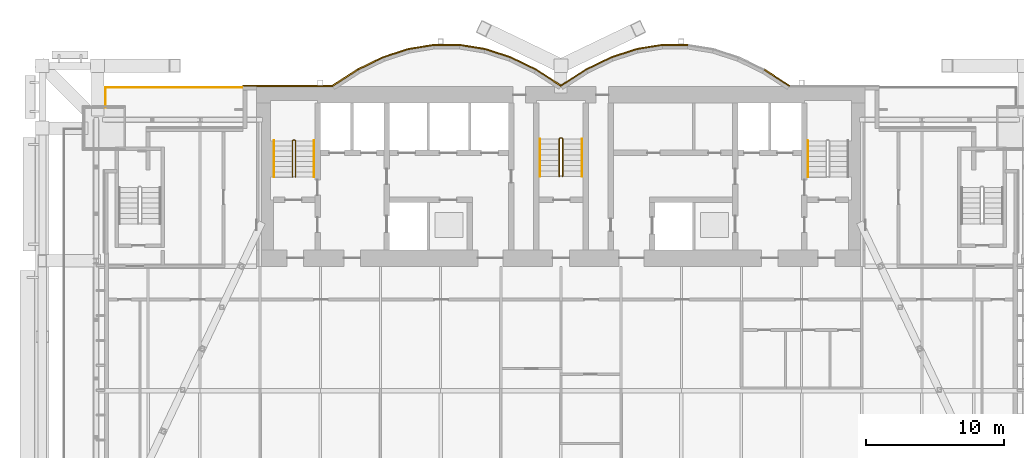
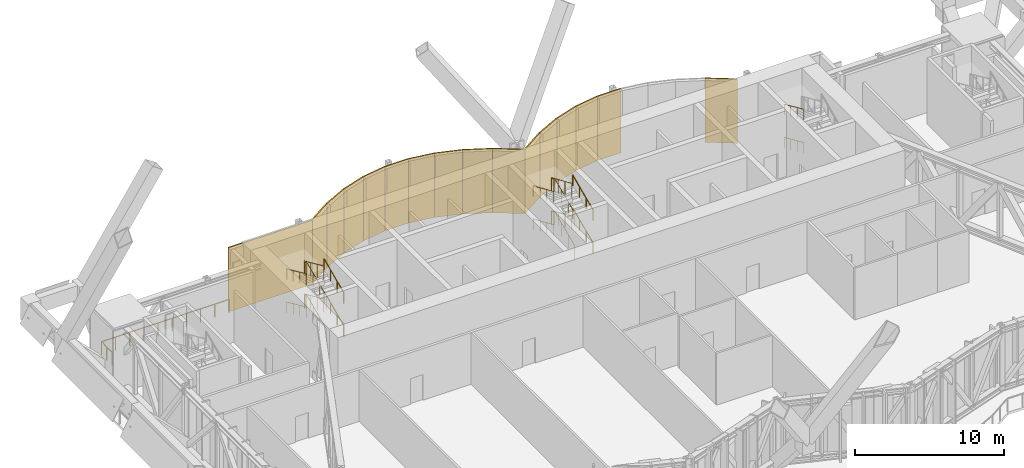
# One storey, part 30 of 32: 16 coverings, 15 railings.
"""IFC4 building model written with IfcOpenShell, lengths in metres."""

from ifc_helpers import new_model, si_unit, direction, frame, origin, origin_2d, place, context, subcontext, project, spatial, rectangle, circle, extrude, material, layer, layer_set, type_object, element, save


model = new_model("IFC4")

# Units and contexts
model_context = context("Model", 3, precision=1e-05, world=origin(), true_north=direction((0.0, 1.0)))
body_context = subcontext(model_context, "Body", "Model", "MODEL_VIEW")
ifc_project = project(units=[si_unit("LENGTHUNIT", "METRE"), si_unit("AREAUNIT", "SQUARE_METRE"), si_unit("VOLUMEUNIT", "CUBIC_METRE"), si_unit("PLANEANGLEUNIT", "RADIAN"), si_unit("MASSUNIT", "GRAM", prefix="KILO")], contexts=[model_context])

# Site, building, storey
site_placement = place(None, origin())
site = spatial("IfcSite", under=ifc_project, at=site_placement, CompositionType="ELEMENT")
building_placement = place(site_placement, origin())
building = spatial("IfcBuilding", under=site, at=building_placement, Name="Bicima Exchange Tower", CompositionType="ELEMENT")
storey_placement = place(building_placement, frame((0.0, 0.0, 135.0)))
storey = spatial("IfcBuildingStorey", under=building, at=storey_placement, Name="L29", CompositionType="ELEMENT", Elevation=135.0)

# Coverings
ifc_material_1 = material(Name="Bronze metal cladding")
ifc_layer_1 = layer(ifc_material_1, 0.004)
ifc_material_2 = material(Name="Ventilated cavity")
ifc_layer_2 = layer(ifc_material_2, 0.06)
ifc_material_3 = material(Name="Galvanised steel rail and mineral wool", Category="steel")
ifc_layer_3 = layer(ifc_material_3, 0.036)
ifc_layer_set = layer_set([ifc_layer_1, ifc_layer_2, ifc_layer_3], Name="Ventilated cavity")
covering_type = type_object("IfcCoveringType", Name="Bronze metal cladding panel 100", PredefinedType="CLADDING", material=ifc_layer_set)
covering_1_placement = place(storey_placement, frame((15.610595703125, 0.634521484375, 0.0), z_axis=(0.0, 0.0, 1.0), x_axis=(-0.839790466384, 0.542910648791, 0.0)))
element("IfcCovering", 1, at=covering_1_placement, inside=storey, type_object=covering_type, Name="Bronze cladding L29 8.1", PredefinedType="CLADDING", context=body_context, shape_type="SweptSolid", body=[
    extrude(rectangle(XDim=2.18310546875, YDim=0.10009765625, at=origin_2d()), origin(), (0.0, 0.0, 1.0), 5.25),
])
covering_2_placement = place(storey_placement, frame((8.25, 3.012939453125, 0.0), z_axis=(0.0, 0.0, 1.0), x_axis=(-1.0, 0.0, 0.0)))
element("IfcCovering", 2, at=covering_2_placement, inside=storey, type_object=covering_type, Name="Bronze cladding L29 12.1", PredefinedType="CLADDING", context=body_context, shape_type="SweptSolid", body=[
    extrude(rectangle(XDim=1.83349609375, YDim=0.10009765625, at=origin_2d()), origin(), (0.0, 0.0, 1.0), 5.25),
])
covering_3_placement = place(storey_placement, frame((6.40869140625, 2.8642578125, 0.0), z_axis=(0.0, 0.0, 1.0), x_axis=(-0.987189786347, -0.159550386184, 0.0)))
element("IfcCovering", 3, at=covering_3_placement, inside=storey, type_object=covering_type, Name="Bronze cladding L29 13.1", PredefinedType="CLADDING", context=body_context, shape_type="SweptSolid", body=[
    extrude(rectangle(XDim=1.857177734375, YDim=0.10009765625, at=origin_2d()), origin(), (0.0, 0.0, 1.0), 5.25),
])
covering_4_placement = place(storey_placement, frame((4.568115234375, 2.41796875, 0.0), z_axis=(0.0, 0.0, 1.0), x_axis=(-0.951524642381, -0.307572519808, 0.0)))
element("IfcCovering", 4, at=covering_4_placement, inside=storey, type_object=covering_type, Name="Bronze cladding L29 14.1", PredefinedType="CLADDING", context=body_context, shape_type="SweptSolid", body=[
    extrude(rectangle(XDim=1.9267578125, YDim=0.10009765625, at=origin_2d()), origin(), (0.0, 0.0, 1.0), 5.25),
])
covering_5_placement = place(storey_placement, frame((2.728271484375, 1.674560546875, 0.0), z_axis=(0.0, 0.0, 1.0), x_axis=(-0.899818346812, -0.436264762204, 0.0)))
element("IfcCovering", 5, at=covering_5_placement, inside=storey, type_object=covering_type, Name="Bronze cladding L29 15.1", PredefinedType="CLADDING", context=body_context, shape_type="SweptSolid", body=[
    extrude(rectangle(XDim=2.03759765625, YDim=0.10009765625, at=origin_2d()), origin(), (0.0, 0.0, 1.0), 5.25),
])
for number, where, z_axis, x_axis, name in (
    (6, (0.889404296875, 0.634521484375, 0.0), (0.0, 0.0, 1.0), (-0.839790466384, -0.542910648791, 0.0), "Bronze cladding L29 16.1"),
    (7, (-0.889404296875, 0.634521484375, 0.0), (0.0, 0.0, 1.0), (-0.839790466384, 0.542910648791, 0.0), "Bronze cladding L29 17.1"),
):
    element("IfcCovering", number, at=place(storey_placement, frame(where, z_axis=z_axis, x_axis=x_axis)), inside=storey, type_object=covering_type, Name=name, PredefinedType="CLADDING", context=body_context, shape_type="SweptSolid", body=[
        extrude(rectangle(XDim=2.18310546875, YDim=0.10009765625, at=origin_2d()), origin(), (0.0, 0.0, 1.0), 5.25),
    ])
covering_6_placement = place(storey_placement, frame((-2.728271484375, 1.674560546875, 0.0), z_axis=(0.0, 0.0, 1.0), x_axis=(-0.899818346812, 0.436264762204, 0.0)))
element("IfcCovering", 8, at=covering_6_placement, inside=storey, type_object=covering_type, Name="Bronze cladding L29 18.1", PredefinedType="CLADDING", context=body_context, shape_type="SweptSolid", body=[
    extrude(rectangle(XDim=2.03759765625, YDim=0.10009765625, at=origin_2d()), origin(), (0.0, 0.0, 1.0), 5.25),
])
covering_7_placement = place(storey_placement, frame((-4.568115234375, 2.41796875, 0.0), z_axis=(0.0, 0.0, 1.0), x_axis=(-0.951524642381, 0.307572519808, 0.0)))
element("IfcCovering", 9, at=covering_7_placement, inside=storey, type_object=covering_type, Name="Bronze cladding L29 19.1", PredefinedType="CLADDING", context=body_context, shape_type="SweptSolid", body=[
    extrude(rectangle(XDim=1.9267578125, YDim=0.10009765625, at=origin_2d()), origin(), (0.0, 0.0, 1.0), 5.25),
])
covering_8_placement = place(storey_placement, frame((-6.40869140625, 2.8642578125, 0.0), z_axis=(0.0, 0.0, 1.0), x_axis=(-0.987189786347, 0.159550386184, 0.0)))
element("IfcCovering", 10, at=covering_8_placement, inside=storey, type_object=covering_type, Name="Bronze cladding L29 20.1", PredefinedType="CLADDING", context=body_context, shape_type="SweptSolid", body=[
    extrude(rectangle(XDim=1.857177734375, YDim=0.10009765625, at=origin_2d()), origin(), (0.0, 0.0, 1.0), 5.25),
])
covering_9_placement = place(storey_placement, frame((-8.25, 3.012939453125, 0.0), z_axis=(0.0, 0.0, 1.0), x_axis=(-1.0, 0.0, 0.0)))
element("IfcCovering", 11, at=covering_9_placement, inside=storey, type_object=covering_type, Name="Bronze cladding L29 21.1", PredefinedType="CLADDING", context=body_context, shape_type="SweptSolid", body=[
    extrude(rectangle(XDim=1.83349609375, YDim=0.10009765625, at=origin_2d()), origin(), (0.0, 0.0, 1.0), 5.25),
])
covering_10_placement = place(storey_placement, frame((-10.09130859375, 2.8642578125, 0.0), z_axis=(0.0, 0.0, 1.0), x_axis=(-0.987189786347, -0.159550386184, 0.0)))
element("IfcCovering", 12, at=covering_10_placement, inside=storey, type_object=covering_type, Name="Bronze cladding L29 22.1", PredefinedType="CLADDING", context=body_context, shape_type="SweptSolid", body=[
    extrude(rectangle(XDim=1.857177734375, YDim=0.10009765625, at=origin_2d()), origin(), (0.0, 0.0, 1.0), 5.25),
])
covering_11_placement = place(storey_placement, frame((-11.931884765625, 2.41796875, 0.0), z_axis=(0.0, 0.0, 1.0), x_axis=(-0.951524642381, -0.307572519808, 0.0)))
element("IfcCovering", 13, at=covering_11_placement, inside=storey, type_object=covering_type, Name="Bronze cladding L29 23.1", PredefinedType="CLADDING", context=body_context, shape_type="SweptSolid", body=[
    extrude(rectangle(XDim=1.9267578125, YDim=0.10009765625, at=origin_2d()), origin(), (0.0, 0.0, 1.0), 5.25),
])
covering_12_placement = place(storey_placement, frame((-13.771728515625, 1.674560546875, 0.0), z_axis=(0.0, 0.0, 1.0), x_axis=(-0.899818346812, -0.436264762204, 0.0)))
element("IfcCovering", 14, at=covering_12_placement, inside=storey, type_object=covering_type, Name="Bronze cladding L29 24.1", PredefinedType="CLADDING", context=body_context, shape_type="SweptSolid", body=[
    extrude(rectangle(XDim=2.03759765625, YDim=0.10009765625, at=origin_2d()), origin(), (0.0, 0.0, 1.0), 5.25),
])
covering_13_placement = place(storey_placement, frame((-15.610595703125, 0.634521484375, 0.0), z_axis=(0.0, 0.0, 1.0), x_axis=(-0.839790466384, -0.542910648791, 0.0)))
element("IfcCovering", 15, at=covering_13_placement, inside=storey, type_object=covering_type, Name="Bronze cladding L29 25.1", PredefinedType="CLADDING", context=body_context, shape_type="SweptSolid", body=[
    extrude(rectangle(XDim=2.18310546875, YDim=0.10009765625, at=origin_2d()), origin(), (0.0, 0.0, 1.0), 5.25),
])
covering_14_placement = place(storey_placement, frame((-19.75, 0.050048828125, 0.0), z_axis=(0.0, 0.0, 1.0), x_axis=(-1.0, 0.0, 0.0)))
element("IfcCovering", 16, at=covering_14_placement, inside=storey, type_object=covering_type, Name="Bronze cladding L29 26.1", PredefinedType="CLADDING", context=body_context, shape_type="SweptSolid", body=[
    extrude(rectangle(XDim=6.5, YDim=0.10009765625, at=origin_2d()), origin(), (0.0, 0.0, 1.0), 5.25),
])

# Railings
ifc_material_4 = material(Name="Stainless steel", Category="steel")
railing_type_1 = type_object("IfcRailingType", Name="Stair guard 1100", PredefinedType="GUARDRAIL", material=ifc_material_4)
railing_1_placement = place(storey_placement, frame((-19.199951171875, -6.550048828125, 0.168701171875)))
element("IfcRailing", 17, at=railing_1_placement, inside=storey, type_object=railing_type_1, Name="L29 ST-W stair guard 1", PredefinedType="GUARDRAIL", context=body_context, shape_type="SweptSolid", body=[
    extrude(circle(Radius=0.02392578125, at=origin_2d()), frame((0.0, 0.0, 1.076171875), z_axis=(0.0, 0.912201722539, 0.409741403079), x_axis=(-1.0, 0.0, 0.0)), (0.0, 0.0, 1.0), 2.88330078125),
    extrude(circle(Radius=0.02392578125, at=origin_2d()), frame((0.0, 2.630126953125, 2.25732421875), z_axis=(-0.708833529934, 0.705375805398, 0.0), x_axis=(-0.705375805398, -0.708833529934, 0.0)), (0.0, 0.0, 1.0), 0.070556640625),
    extrude(circle(Radius=0.02392578125, at=origin_2d()), frame((-0.050048828125, 2.679931640625, 2.25732421875), z_axis=(-1.0, 0.0, 0.0), x_axis=(0.0, -1.0, 0.0)), (0.0, 0.0, 1.0), 0.10009765625),
    extrude(circle(Radius=0.02392578125, at=origin_2d()), frame((-0.150146484375, 2.679931640625, 2.25732421875), z_axis=(-0.272433089069, -0.272433089069, 0.922800316407), x_axis=(0.707106781187, -0.707106781187, 0.0)), (0.0, 0.0, 1.0), 0.182861328125),
    extrude(circle(Radius=0.02392578125, at=origin_2d()), frame((-0.199951171875, 2.630126953125, 2.42626953125), z_axis=(0.0, -0.912233369549, 0.409670940488), x_axis=(1.0, 0.0, 0.0)), (0.0, 0.0, 1.0), 2.883056640625),
    extrude(circle(Radius=0.02099609375, at=origin_2d()), origin(), (0.0, 0.0, 1.0), 1.052001953125),
    extrude(circle(Radius=0.02099609375, at=origin_2d()), frame((0.0, 0.876708984375, 0.393798828125)), (0.0, 0.0, 1.0), 1.052001953125),
    extrude(circle(Radius=0.02099609375, at=origin_2d()), frame((0.0, 1.75341796875, 0.78759765625)), (0.0, 0.0, 1.0), 1.052001953125),
    extrude(circle(Radius=0.02099609375, at=origin_2d()), frame((0.0, 2.630126953125, 1.181396484375)), (0.0, 0.0, 1.0), 1.052001953125),
    extrude(circle(Radius=0.02099609375, at=origin_2d()), frame((-0.050048828125, 2.679931640625, 1.181396484375)), (0.0, 0.0, 1.0), 1.052001953125),
    extrude(circle(Radius=0.02099609375, at=origin_2d()), frame((-0.150146484375, 2.679931640625, 1.181396484375)), (0.0, 0.0, 1.0), 1.052001953125),
    extrude(circle(Radius=0.02099609375, at=origin_2d()), frame((-0.199951171875, 2.630126953125, 1.35009765625)), (0.0, 0.0, 1.0), 1.052001953125),
    extrude(circle(Radius=0.02099609375, at=origin_2d()), frame((-0.199951171875, 1.75341796875, 1.743896484375)), (0.0, 0.0, 1.0), 1.052001953125),
    extrude(circle(Radius=0.02099609375, at=origin_2d()), frame((-0.199951171875, 0.876708984375, 2.137451171875)), (0.0, 0.0, 1.0), 1.052001953125),
    extrude(circle(Radius=0.02099609375, at=origin_2d()), frame((-0.199951171875, 0.0, 2.53125)), (0.0, 0.0, 1.0), 1.052001953125),
])
railing_2_placement = place(storey_placement, frame((-19.199951171875, -6.550048828125, 2.86865234375)))
element("IfcRailing", 18, at=railing_2_placement, inside=storey, type_object=railing_type_1, Name="L29 ST-W stair guard 2", PredefinedType="GUARDRAIL", context=body_context, shape_type="SweptSolid", body=[
    extrude(circle(Radius=0.02392578125, at=origin_2d()), frame((0.0, 0.0, 1.076171875), z_axis=(0.0, 0.912201722539, 0.409741403079), x_axis=(-1.0, 0.0, 0.0)), (0.0, 0.0, 1.0), 2.88330078125),
    extrude(circle(Radius=0.02392578125, at=origin_2d()), frame((0.0, 2.630126953125, 2.25732421875), z_axis=(-0.708833529934, 0.705375805398, 0.0), x_axis=(-0.705375805398, -0.708833529934, 0.0)), (0.0, 0.0, 1.0), 0.070556640625),
    extrude(circle(Radius=0.02392578125, at=origin_2d()), frame((-0.050048828125, 2.679931640625, 2.25732421875), z_axis=(-1.0, 0.0, 0.0), x_axis=(0.0, -1.0, 0.0)), (0.0, 0.0, 1.0), 0.10009765625),
    extrude(circle(Radius=0.02392578125, at=origin_2d()), frame((-0.150146484375, 2.679931640625, 2.25732421875), z_axis=(-0.272433089069, -0.272433089069, 0.922800316407), x_axis=(0.707106781187, -0.707106781187, 0.0)), (0.0, 0.0, 1.0), 0.182861328125),
    extrude(circle(Radius=0.02392578125, at=origin_2d()), frame((-0.199951171875, 2.630126953125, 2.42626953125), z_axis=(0.0, -0.912233369549, 0.409670940488), x_axis=(1.0, 0.0, 0.0)), (0.0, 0.0, 1.0), 2.883056640625),
    extrude(circle(Radius=0.02099609375, at=origin_2d()), origin(), (0.0, 0.0, 1.0), 1.052001953125),
    extrude(circle(Radius=0.02099609375, at=origin_2d()), frame((0.0, 0.876708984375, 0.393798828125)), (0.0, 0.0, 1.0), 1.052001953125),
    extrude(circle(Radius=0.02099609375, at=origin_2d()), frame((0.0, 1.75341796875, 0.78759765625)), (0.0, 0.0, 1.0), 1.052001953125),
    extrude(circle(Radius=0.02099609375, at=origin_2d()), frame((0.0, 2.630126953125, 1.181396484375)), (0.0, 0.0, 1.0), 1.052001953125),
    extrude(circle(Radius=0.02099609375, at=origin_2d()), frame((-0.050048828125, 2.679931640625, 1.181396484375)), (0.0, 0.0, 1.0), 1.052001953125),
    extrude(circle(Radius=0.02099609375, at=origin_2d()), frame((-0.150146484375, 2.679931640625, 1.181396484375)), (0.0, 0.0, 1.0), 1.052001953125),
    extrude(circle(Radius=0.02099609375, at=origin_2d()), frame((-0.199951171875, 2.630126953125, 1.35009765625)), (0.0, 0.0, 1.0), 1.052001953125),
    extrude(circle(Radius=0.02099609375, at=origin_2d()), frame((-0.199951171875, 1.75341796875, 1.743896484375)), (0.0, 0.0, 1.0), 1.052001953125),
    extrude(circle(Radius=0.02099609375, at=origin_2d()), frame((-0.199951171875, 0.876708984375, 2.137451171875)), (0.0, 0.0, 1.0), 1.052001953125),
    extrude(circle(Radius=0.02099609375, at=origin_2d()), frame((-0.199951171875, 0.0, 2.53125)), (0.0, 0.0, 1.0), 1.052001953125),
])
railing_3_placement = place(storey_placement, frame((0.125, -6.5, 0.168701171875)))
element("IfcRailing", 19, at=railing_3_placement, inside=storey, type_object=railing_type_1, Name="L29 ST-C stair guard 1", PredefinedType="GUARDRAIL", context=body_context, shape_type="SweptSolid", body=[
    extrude(circle(Radius=0.02392578125, at=origin_2d()), frame((0.0, 0.0, 1.076171875), z_axis=(0.0, 0.917217895875, 0.398385907741), x_axis=(-1.0, 0.0, 0.0)), (0.0, 0.0, 1.0), 2.965576171875),
    extrude(circle(Radius=0.02392578125, at=origin_2d()), frame((0.0, 2.719970703125, 2.25732421875), z_axis=(-0.707106781187, 0.707106781187, 0.0), x_axis=(-0.707106781187, -0.707106781187, 0.0)), (0.0, 0.0, 1.0), 0.07080078125),
    extrude(circle(Radius=0.02392578125, at=origin_2d()), frame((-0.050048828125, 2.77001953125, 2.25732421875), z_axis=(-1.0, 0.0, 0.0), x_axis=(0.0, -1.0, 0.0)), (0.0, 0.0, 1.0), 0.14990234375),
    extrude(circle(Radius=0.02392578125, at=origin_2d()), frame((-0.199951171875, 2.77001953125, 2.25732421875), z_axis=(-0.273569069059, -0.273569069059, 0.922127935218), x_axis=(0.707106781187, -0.707106781187, 0.0)), (0.0, 0.0, 1.0), 0.182861328125),
    extrude(circle(Radius=0.02392578125, at=origin_2d()), frame((-0.25, 2.719970703125, 2.42626953125), z_axis=(0.0, -0.917247977502, 0.398316642595), x_axis=(1.0, 0.0, 0.0)), (0.0, 0.0, 1.0), 2.96533203125),
    extrude(circle(Radius=0.02099609375, at=origin_2d()), origin(), (0.0, 0.0, 1.0), 1.052001953125),
    extrude(circle(Radius=0.02099609375, at=origin_2d()), frame((0.0, 0.90673828125, 0.393798828125)), (0.0, 0.0, 1.0), 1.052001953125),
    extrude(circle(Radius=0.02099609375, at=origin_2d()), frame((0.0, 1.813232421875, 0.78759765625)), (0.0, 0.0, 1.0), 1.052001953125),
    extrude(circle(Radius=0.02099609375, at=origin_2d()), frame((0.0, 2.719970703125, 1.181396484375)), (0.0, 0.0, 1.0), 1.052001953125),
    extrude(circle(Radius=0.02099609375, at=origin_2d()), frame((-0.050048828125, 2.77001953125, 1.181396484375)), (0.0, 0.0, 1.0), 1.052001953125),
    extrude(circle(Radius=0.02099609375, at=origin_2d()), frame((-0.199951171875, 2.77001953125, 1.181396484375)), (0.0, 0.0, 1.0), 1.052001953125),
    extrude(circle(Radius=0.02099609375, at=origin_2d()), frame((-0.25, 2.719970703125, 1.35009765625)), (0.0, 0.0, 1.0), 1.052001953125),
    extrude(circle(Radius=0.02099609375, at=origin_2d()), frame((-0.25, 1.813232421875, 1.743896484375)), (0.0, 0.0, 1.0), 1.052001953125),
    extrude(circle(Radius=0.02099609375, at=origin_2d()), frame((-0.25, 0.90673828125, 2.137451171875)), (0.0, 0.0, 1.0), 1.052001953125),
    extrude(circle(Radius=0.02099609375, at=origin_2d()), frame((-0.25, 0.0, 2.53125)), (0.0, 0.0, 1.0), 1.052001953125),
])
railing_4_placement = place(storey_placement, frame((0.125, -6.5, 2.86865234375)))
element("IfcRailing", 20, at=railing_4_placement, inside=storey, type_object=railing_type_1, Name="L29 ST-C stair guard 2", PredefinedType="GUARDRAIL", context=body_context, shape_type="SweptSolid", body=[
    extrude(circle(Radius=0.02392578125, at=origin_2d()), frame((0.0, 0.0, 1.076171875), z_axis=(0.0, 0.917217895875, 0.398385907741), x_axis=(-1.0, 0.0, 0.0)), (0.0, 0.0, 1.0), 2.965576171875),
    extrude(circle(Radius=0.02392578125, at=origin_2d()), frame((0.0, 2.719970703125, 2.25732421875), z_axis=(-0.707106781187, 0.707106781187, 0.0), x_axis=(-0.707106781187, -0.707106781187, 0.0)), (0.0, 0.0, 1.0), 0.07080078125),
    extrude(circle(Radius=0.02392578125, at=origin_2d()), frame((-0.050048828125, 2.77001953125, 2.25732421875), z_axis=(-1.0, 0.0, 0.0), x_axis=(0.0, -1.0, 0.0)), (0.0, 0.0, 1.0), 0.14990234375),
    extrude(circle(Radius=0.02392578125, at=origin_2d()), frame((-0.199951171875, 2.77001953125, 2.25732421875), z_axis=(-0.273569069059, -0.273569069059, 0.922127935218), x_axis=(0.707106781187, -0.707106781187, 0.0)), (0.0, 0.0, 1.0), 0.182861328125),
    extrude(circle(Radius=0.02392578125, at=origin_2d()), frame((-0.25, 2.719970703125, 2.42626953125), z_axis=(0.0, -0.917247977502, 0.398316642595), x_axis=(1.0, 0.0, 0.0)), (0.0, 0.0, 1.0), 2.96533203125),
    extrude(circle(Radius=0.02099609375, at=origin_2d()), origin(), (0.0, 0.0, 1.0), 1.052001953125),
    extrude(circle(Radius=0.02099609375, at=origin_2d()), frame((0.0, 0.90673828125, 0.393798828125)), (0.0, 0.0, 1.0), 1.052001953125),
    extrude(circle(Radius=0.02099609375, at=origin_2d()), frame((0.0, 1.813232421875, 0.78759765625)), (0.0, 0.0, 1.0), 1.052001953125),
    extrude(circle(Radius=0.02099609375, at=origin_2d()), frame((0.0, 2.719970703125, 1.181396484375)), (0.0, 0.0, 1.0), 1.052001953125),
    extrude(circle(Radius=0.02099609375, at=origin_2d()), frame((-0.050048828125, 2.77001953125, 1.181396484375)), (0.0, 0.0, 1.0), 1.052001953125),
    extrude(circle(Radius=0.02099609375, at=origin_2d()), frame((-0.199951171875, 2.77001953125, 1.181396484375)), (0.0, 0.0, 1.0), 1.052001953125),
    extrude(circle(Radius=0.02099609375, at=origin_2d()), frame((-0.25, 2.719970703125, 1.35009765625)), (0.0, 0.0, 1.0), 1.052001953125),
    extrude(circle(Radius=0.02099609375, at=origin_2d()), frame((-0.25, 1.813232421875, 1.743896484375)), (0.0, 0.0, 1.0), 1.052001953125),
    extrude(circle(Radius=0.02099609375, at=origin_2d()), frame((-0.25, 0.90673828125, 2.137451171875)), (0.0, 0.0, 1.0), 1.052001953125),
    extrude(circle(Radius=0.02099609375, at=origin_2d()), frame((-0.25, 0.0, 2.53125)), (0.0, 0.0, 1.0), 1.052001953125),
])
railing_type_2 = type_object("IfcRailingType", Name="Stair handrail 900", PredefinedType="HANDRAIL", material=ifc_material_4)
railing_5_placement = place(storey_placement, frame((-17.85009765625, -6.550048828125, 0.168701171875)))
element("IfcRailing", 21, at=railing_5_placement, inside=storey, type_object=railing_type_2, Name="L29 ST-W stair handrail 1", PredefinedType="HANDRAIL", context=body_context, shape_type="SweptSolid", body=[
    extrude(circle(Radius=0.02392578125, at=origin_2d()), frame((0.0, 0.0, 0.8759765625), z_axis=(0.0, 0.912201722539, 0.409741403079), x_axis=(-1.0, 0.0, 0.0)), (0.0, 0.0, 1.0), 2.88330078125),
    extrude(circle(Radius=0.02099609375, at=origin_2d()), origin(), (0.0, 0.0, 1.0), 0.851806640625),
    extrude(circle(Radius=0.02099609375, at=origin_2d()), frame((0.0, 0.876708984375, 0.393798828125)), (0.0, 0.0, 1.0), 0.851806640625),
    extrude(circle(Radius=0.02099609375, at=origin_2d()), frame((0.0, 1.75341796875, 0.78759765625)), (0.0, 0.0, 1.0), 0.851806640625),
    extrude(circle(Radius=0.02099609375, at=origin_2d()), frame((0.0, 2.630126953125, 1.181396484375)), (0.0, 0.0, 1.0), 0.851806640625),
])
railing_6_placement = place(storey_placement, frame((-20.75, -3.919921875, 1.518798828125)))
element("IfcRailing", 22, at=railing_6_placement, inside=storey, type_object=railing_type_2, Name="L29 ST-W stair handrail 2", PredefinedType="HANDRAIL", context=body_context, shape_type="SweptSolid", body=[
    extrude(circle(Radius=0.02392578125, at=origin_2d()), frame((0.0, 0.0, 0.8759765625), z_axis=(0.0, -0.912233369549, 0.409670940488), x_axis=(1.0, 0.0, 0.0)), (0.0, 0.0, 1.0), 2.883056640625),
    extrude(circle(Radius=0.02099609375, at=origin_2d()), origin(), (0.0, 0.0, 1.0), 0.851806640625),
    extrude(circle(Radius=0.02099609375, at=origin_2d()), frame((0.0, -0.876708984375, 0.393798828125)), (0.0, 0.0, 1.0), 0.851806640625),
    extrude(circle(Radius=0.02099609375, at=origin_2d()), frame((0.0, -1.75341796875, 0.787353515625)), (0.0, 0.0, 1.0), 0.851806640625),
    extrude(circle(Radius=0.02099609375, at=origin_2d()), frame((0.0, -2.630126953125, 1.18115234375)), (0.0, 0.0, 1.0), 0.851806640625),
])
railing_7_placement = place(storey_placement, frame((-17.85009765625, -6.550048828125, 2.86865234375)))
element("IfcRailing", 23, at=railing_7_placement, inside=storey, type_object=railing_type_2, Name="L29 ST-W stair handrail 3", PredefinedType="HANDRAIL", context=body_context, shape_type="SweptSolid", body=[
    extrude(circle(Radius=0.02392578125, at=origin_2d()), frame((0.0, 0.0, 0.8759765625), z_axis=(0.0, 0.912201722539, 0.409741403079), x_axis=(-1.0, 0.0, 0.0)), (0.0, 0.0, 1.0), 2.88330078125),
    extrude(circle(Radius=0.02099609375, at=origin_2d()), origin(), (0.0, 0.0, 1.0), 0.851806640625),
    extrude(circle(Radius=0.02099609375, at=origin_2d()), frame((0.0, 0.876708984375, 0.393798828125)), (0.0, 0.0, 1.0), 0.851806640625),
    extrude(circle(Radius=0.02099609375, at=origin_2d()), frame((0.0, 1.75341796875, 0.78759765625)), (0.0, 0.0, 1.0), 0.851806640625),
    extrude(circle(Radius=0.02099609375, at=origin_2d()), frame((0.0, 2.630126953125, 1.181396484375)), (0.0, 0.0, 1.0), 0.851806640625),
])
railing_8_placement = place(storey_placement, frame((-20.75, -3.919921875, 4.241455078125)))
element("IfcRailing", 24, at=railing_8_placement, inside=storey, type_object=railing_type_2, Name="L29 ST-W stair handrail 4", PredefinedType="HANDRAIL", context=body_context, shape_type="SweptSolid", body=[
    extrude(circle(Radius=0.02392578125, at=origin_2d()), frame((0.0, 0.0, 0.8759765625), z_axis=(0.0, -0.912201722539, 0.409741403079), x_axis=(1.0, 0.0, 0.0)), (0.0, 0.0, 1.0), 2.88330078125),
    extrude(circle(Radius=0.02099609375, at=origin_2d()), origin(), (0.0, 0.0, 1.0), 0.851806640625),
    extrude(circle(Radius=0.02099609375, at=origin_2d()), frame((0.0, -0.876708984375, 0.393798828125)), (0.0, 0.0, 1.0), 0.851806640625),
    extrude(circle(Radius=0.02099609375, at=origin_2d()), frame((0.0, -1.75341796875, 0.78759765625)), (0.0, 0.0, 1.0), 0.851806640625),
    extrude(circle(Radius=0.02099609375, at=origin_2d()), frame((0.0, -2.630126953125, 1.181396484375)), (0.0, 0.0, 1.0), 0.851806640625),
])
railing_9_placement = place(storey_placement, frame((1.52490234375, -6.5, 0.168701171875)))
element("IfcRailing", 25, at=railing_9_placement, inside=storey, type_object=railing_type_2, Name="L29 ST-C stair handrail 1", PredefinedType="HANDRAIL", context=body_context, shape_type="SweptSolid", body=[
    extrude(circle(Radius=0.02392578125, at=origin_2d()), frame((0.0, 0.0, 0.8759765625), z_axis=(0.0, 0.917217895875, 0.398385907741), x_axis=(-1.0, 0.0, 0.0)), (0.0, 0.0, 1.0), 2.965576171875),
    extrude(circle(Radius=0.02099609375, at=origin_2d()), origin(), (0.0, 0.0, 1.0), 0.851806640625),
    extrude(circle(Radius=0.02099609375, at=origin_2d()), frame((0.0, 0.90673828125, 0.393798828125)), (0.0, 0.0, 1.0), 0.851806640625),
    extrude(circle(Radius=0.02099609375, at=origin_2d()), frame((0.0, 1.813232421875, 0.78759765625)), (0.0, 0.0, 1.0), 0.851806640625),
    extrude(circle(Radius=0.02099609375, at=origin_2d()), frame((0.0, 2.719970703125, 1.181396484375)), (0.0, 0.0, 1.0), 0.851806640625),
])
railing_10_placement = place(storey_placement, frame((-1.52490234375, -3.780029296875, 1.518798828125)))
element("IfcRailing", 26, at=railing_10_placement, inside=storey, type_object=railing_type_2, Name="L29 ST-C stair handrail 2", PredefinedType="HANDRAIL", context=body_context, shape_type="SweptSolid", body=[
    extrude(circle(Radius=0.02392578125, at=origin_2d()), frame((0.0, 0.0, 0.8759765625), z_axis=(0.0, -0.917247977502, 0.398316642595), x_axis=(1.0, 0.0, 0.0)), (0.0, 0.0, 1.0), 2.96533203125),
    extrude(circle(Radius=0.02099609375, at=origin_2d()), origin(), (0.0, 0.0, 1.0), 0.851806640625),
    extrude(circle(Radius=0.02099609375, at=origin_2d()), frame((0.0, -0.90673828125, 0.393798828125)), (0.0, 0.0, 1.0), 0.851806640625),
    extrude(circle(Radius=0.02099609375, at=origin_2d()), frame((0.0, -1.813232421875, 0.787353515625)), (0.0, 0.0, 1.0), 0.851806640625),
    extrude(circle(Radius=0.02099609375, at=origin_2d()), frame((0.0, -2.719970703125, 1.18115234375)), (0.0, 0.0, 1.0), 0.851806640625),
])
railing_11_placement = place(storey_placement, frame((1.52490234375, -6.5, 2.86865234375)))
element("IfcRailing", 27, at=railing_11_placement, inside=storey, type_object=railing_type_2, Name="L29 ST-C stair handrail 3", PredefinedType="HANDRAIL", context=body_context, shape_type="SweptSolid", body=[
    extrude(circle(Radius=0.02392578125, at=origin_2d()), frame((0.0, 0.0, 0.8759765625), z_axis=(0.0, 0.917217895875, 0.398385907741), x_axis=(-1.0, 0.0, 0.0)), (0.0, 0.0, 1.0), 2.965576171875),
    extrude(circle(Radius=0.02099609375, at=origin_2d()), origin(), (0.0, 0.0, 1.0), 0.851806640625),
    extrude(circle(Radius=0.02099609375, at=origin_2d()), frame((0.0, 0.90673828125, 0.393798828125)), (0.0, 0.0, 1.0), 0.851806640625),
    extrude(circle(Radius=0.02099609375, at=origin_2d()), frame((0.0, 1.813232421875, 0.78759765625)), (0.0, 0.0, 1.0), 0.851806640625),
    extrude(circle(Radius=0.02099609375, at=origin_2d()), frame((0.0, 2.719970703125, 1.181396484375)), (0.0, 0.0, 1.0), 0.851806640625),
])
railing_12_placement = place(storey_placement, frame((-1.52490234375, -3.780029296875, 4.241455078125)))
element("IfcRailing", 28, at=railing_12_placement, inside=storey, type_object=railing_type_2, Name="L29 ST-C stair handrail 4", PredefinedType="HANDRAIL", context=body_context, shape_type="SweptSolid", body=[
    extrude(circle(Radius=0.02392578125, at=origin_2d()), frame((0.0, 0.0, 0.8759765625), z_axis=(0.0, -0.917217895875, 0.398385907741), x_axis=(1.0, 0.0, 0.0)), (0.0, 0.0, 1.0), 2.965576171875),
    extrude(circle(Radius=0.02099609375, at=origin_2d()), origin(), (0.0, 0.0, 1.0), 0.851806640625),
    extrude(circle(Radius=0.02099609375, at=origin_2d()), frame((0.0, -0.90673828125, 0.393798828125)), (0.0, 0.0, 1.0), 0.851806640625),
    extrude(circle(Radius=0.02099609375, at=origin_2d()), frame((0.0, -1.813232421875, 0.78759765625)), (0.0, 0.0, 1.0), 0.851806640625),
    extrude(circle(Radius=0.02099609375, at=origin_2d()), frame((0.0, -2.719970703125, 1.181396484375)), (0.0, 0.0, 1.0), 0.851806640625),
])
railing_13_placement = place(storey_placement, frame((17.85009765625, -3.919921875, 1.518798828125)))
element("IfcRailing", 29, at=railing_13_placement, inside=storey, type_object=railing_type_2, Name="L29 ST-E stair handrail 2", PredefinedType="HANDRAIL", context=body_context, shape_type="SweptSolid", body=[
    extrude(circle(Radius=0.02392578125, at=origin_2d()), frame((0.0, 0.0, 0.8759765625), z_axis=(0.0, -0.912233369549, 0.409670940488), x_axis=(1.0, 0.0, 0.0)), (0.0, 0.0, 1.0), 2.883056640625),
    extrude(circle(Radius=0.02099609375, at=origin_2d()), origin(), (0.0, 0.0, 1.0), 0.851806640625),
    extrude(circle(Radius=0.02099609375, at=origin_2d()), frame((0.0, -0.876708984375, 0.393798828125)), (0.0, 0.0, 1.0), 0.851806640625),
    extrude(circle(Radius=0.02099609375, at=origin_2d()), frame((0.0, -1.75341796875, 0.787353515625)), (0.0, 0.0, 1.0), 0.851806640625),
    extrude(circle(Radius=0.02099609375, at=origin_2d()), frame((0.0, -2.630126953125, 1.18115234375)), (0.0, 0.0, 1.0), 0.851806640625),
])
railing_14_placement = place(storey_placement, frame((17.85009765625, -3.919921875, 4.241455078125)))
element("IfcRailing", 30, at=railing_14_placement, inside=storey, type_object=railing_type_2, Name="L29 ST-E stair handrail 4", PredefinedType="HANDRAIL", context=body_context, shape_type="SweptSolid", body=[
    extrude(circle(Radius=0.02392578125, at=origin_2d()), frame((0.0, 0.0, 0.8759765625), z_axis=(0.0, -0.912201722539, 0.409741403079), x_axis=(1.0, 0.0, 0.0)), (0.0, 0.0, 1.0), 2.88330078125),
    extrude(circle(Radius=0.02099609375, at=origin_2d()), origin(), (0.0, 0.0, 1.0), 0.851806640625),
    extrude(circle(Radius=0.02099609375, at=origin_2d()), frame((0.0, -0.876708984375, 0.393798828125)), (0.0, 0.0, 1.0), 0.851806640625),
    extrude(circle(Radius=0.02099609375, at=origin_2d()), frame((0.0, -1.75341796875, 0.78759765625)), (0.0, 0.0, 1.0), 0.851806640625),
    extrude(circle(Radius=0.02099609375, at=origin_2d()), frame((0.0, -2.630126953125, 1.181396484375)), (0.0, 0.0, 1.0), 0.851806640625),
])
ifc_material_5 = material(Name="Stainless steel and bonded safety glass", Category="steel")
railing_type_3 = type_object("IfcRailingType", Name="Terrace guard 1100", PredefinedType="GUARDRAIL", material=ifc_material_5)
railing_15_placement = place(storey_placement, frame((-32.919921875, -1.5, 0.0)))
element("IfcRailing", 31, at=railing_15_placement, inside=storey, type_object=railing_type_3, Name="Terrace guard L29 2", PredefinedType="GUARDRAIL", context=body_context, shape_type="SweptSolid", body=[
    extrude(circle(Radius=0.02392578125, at=origin_2d()), frame((0.0, 0.0, 1.076171875), z_axis=(0.0, 1.0, 0.0), x_axis=(-1.0, 0.0, 0.0)), (0.0, 0.0, 1.0), 1.419921875),
    extrude(circle(Radius=0.02392578125, at=origin_2d()), frame((0.0, 1.419921875, 1.076171875), z_axis=(1.0, 0.0, 0.0), x_axis=(0.0, 1.0, 0.0)), (0.0, 0.0, 1.0), 9.89990234375),
    extrude(circle(Radius=0.02099609375, at=origin_2d()), origin(), (0.0, 0.0, 1.0), 1.052001953125),
    extrude(circle(Radius=0.02099609375, at=origin_2d()), frame((0.0, 0.7099609375, 0.0)), (0.0, 0.0, 1.0), 1.052001953125),
    extrude(circle(Radius=0.02099609375, at=origin_2d()), frame((0.0, 1.419921875, 0.0)), (0.0, 0.0, 1.0), 1.052001953125),
    extrude(circle(Radius=0.02099609375, at=origin_2d()), frame((1.10009765625, 1.419921875, 0.0)), (0.0, 0.0, 1.0), 1.052001953125),
    extrude(circle(Radius=0.02099609375, at=origin_2d()), frame((2.199951171875, 1.419921875, 0.0)), (0.0, 0.0, 1.0), 1.052001953125),
    extrude(circle(Radius=0.02099609375, at=origin_2d()), frame((3.300048828125, 1.419921875, 0.0)), (0.0, 0.0, 1.0), 1.052001953125),
    extrude(circle(Radius=0.02099609375, at=origin_2d()), frame((4.39990234375, 1.419921875, 0.0)), (0.0, 0.0, 1.0), 1.052001953125),
    extrude(circle(Radius=0.02099609375, at=origin_2d()), frame((5.5, 1.419921875, 0.0)), (0.0, 0.0, 1.0), 1.052001953125),
    extrude(circle(Radius=0.02099609375, at=origin_2d()), frame((6.599853515625, 1.419921875, 0.0)), (0.0, 0.0, 1.0), 1.052001953125),
    extrude(circle(Radius=0.02099609375, at=origin_2d()), frame((7.699951171875, 1.419921875, 0.0)), (0.0, 0.0, 1.0), 1.052001953125),
    extrude(circle(Radius=0.02099609375, at=origin_2d()), frame((8.7998046875, 1.419921875, 0.0)), (0.0, 0.0, 1.0), 1.052001953125),
    extrude(circle(Radius=0.02099609375, at=origin_2d()), frame((9.89990234375, 1.419921875, 0.0)), (0.0, 0.0, 1.0), 1.052001953125),
])

save(model, "model.ifc")
